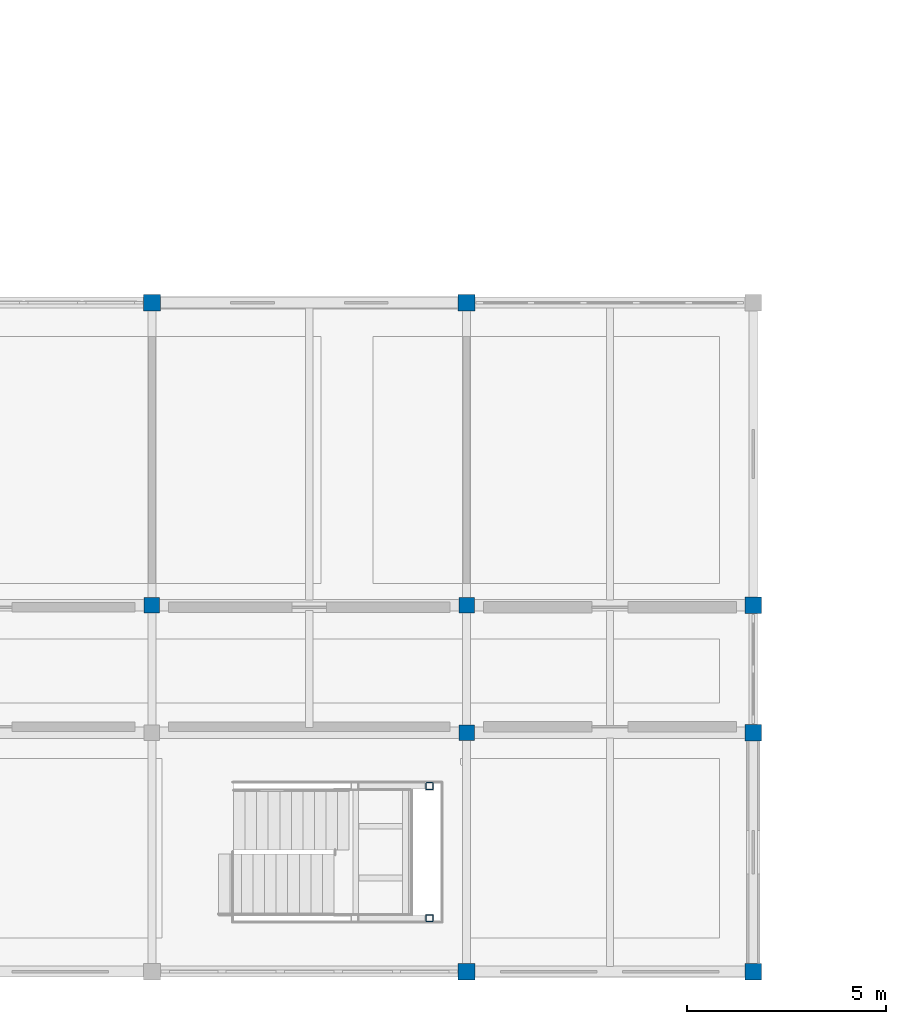
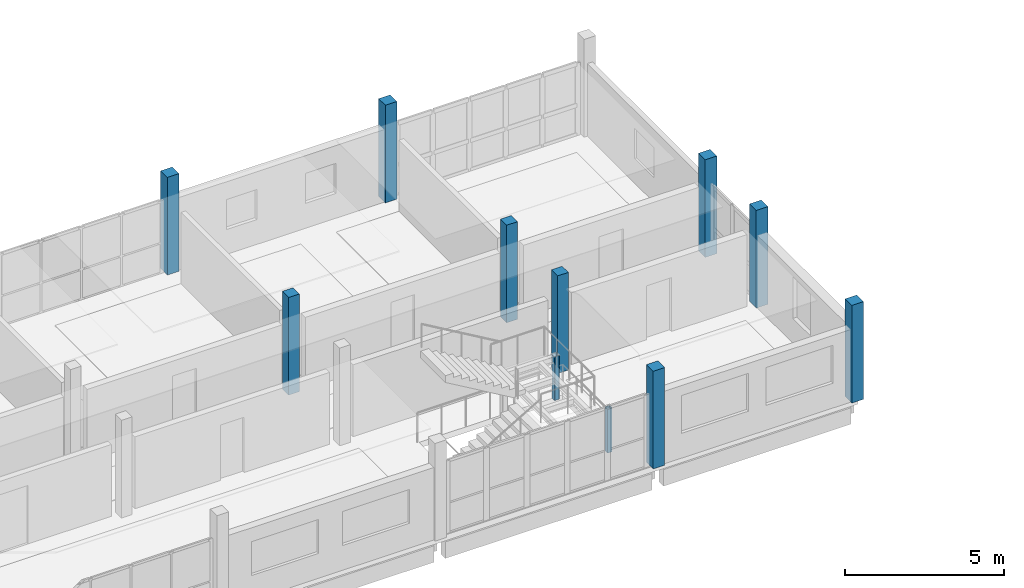
# One storey, part 2 of 77: 11 columns.
"""IFC4 building model written with IfcOpenShell, lengths in metres."""

import ifcopenshell
import ifcopenshell.guid

model = None  # the IFC model being written
_history = None  # IfcOwnerHistory: only IFC2X3 demands one
_inside = {}  # id of a spatial element -> (the spatial element, [elements in it])
_under = {}  # id of a project, library or spatial element -> (it, [spatial elements below it])
_declared = {}  # id of a project -> (the project, [libraries it declares])
_typed = {}  # id of a type object -> (the type object, [elements of that type])
_made_of = {}  # id of a material, layer set ... -> (it, [elements and type objects made of it])


def new_model(schema):
    """Start an empty IFC model of exactly this schema.

    Asked for "IFC4X3", IfcOpenShell would pick the latest addendum, in which some entities
    have other attributes; the version numbers below select the first issue.
    IFC2X3 requires an IfcOwnerHistory on every rooted entity: one is made here for all.
    """
    global model, _history
    if schema == "IFC4X3":
        model = ifcopenshell.file(schema_version=(4, 3, 0, 0))
    else:
        model = ifcopenshell.file(schema=schema)
    _inside.clear()
    _under.clear()
    _declared.clear()
    _typed.clear()
    _made_of.clear()
    _history = None
    if model.schema == "IFC2X3":
        org = make("IfcOrganization", Name="unknown")
        user = make(
            "IfcPersonAndOrganization",
            ThePerson=make("IfcPerson", FamilyName="unknown"),
            TheOrganization=org,
        )
        app = make(
            "IfcApplication",
            ApplicationDeveloper=org,
            Version="unknown",
            ApplicationFullName="unknown",
            ApplicationIdentifier="unknown",
        )
        _history = make(
            "IfcOwnerHistory",
            OwningUser=user,
            OwningApplication=app,
            ChangeAction="ADDED",
            CreationDate=0,
        )
    return model


def make(cls, **values):
    """One entity of the class cls with the attributes given. An attribute that is None is left unset."""
    return model.create_entity(
        cls, **{name: value for name, value in values.items() if value is not None}
    )


def rooted(cls, **values):
    """An entity with a GlobalId (a new one), such as an element, a storey or a relation."""
    return make(cls, GlobalId=ifcopenshell.guid.new(), OwnerHistory=_history, **values)


def si_unit(unit_type, name, prefix=None):
    """IfcSIUnit, for example si_unit("LENGTHUNIT", "METRE", prefix="MILLI")."""
    return make("IfcSIUnit", UnitType=unit_type, Prefix=prefix, Name=name)


def assignment(units):
    """IfcUnitAssignment: the units of a project."""
    return None if units is None else make("IfcUnitAssignment", Units=units)


def point(xyz):
    """IfcCartesianPoint."""
    return None if xyz is None else make("IfcCartesianPoint", Coordinates=xyz)


def direction(xyz):
    """IfcDirection."""
    return None if xyz is None else make("IfcDirection", DirectionRatios=xyz)


def frame(location, z_axis=None, x_axis=None):
    """IfcAxis2Placement3D, a coordinate frame: its origin and axes. An axis left out is left unset."""
    return make(
        "IfcAxis2Placement3D",
        Location=point(location),
        Axis=direction(z_axis),
        RefDirection=direction(x_axis),
    )


def frame_2d(location, x_axis=None):
    """IfcAxis2Placement2D, a coordinate frame in the plane: its origin and x axis."""
    return make(
        "IfcAxis2Placement2D", Location=point(location), RefDirection=direction(x_axis)
    )


def origin():
    """The frame at (0, 0, 0) with its axes left unset."""
    return frame((0.0, 0.0, 0.0))


def origin_2d():
    """The frame at (0, 0) in the plane with its x axis left unset."""
    return frame_2d((0.0, 0.0))


def place(relative_to, where):
    """IfcLocalPlacement: puts the frame where relative to a parent placement (None: the world)."""
    return make(
        "IfcLocalPlacement", PlacementRelTo=relative_to, RelativePlacement=where
    )


def context(
    kind, dimensions, precision=None, world=None, true_north=None, identifier=None
):
    """IfcGeometricRepresentationContext, for example the 3D "Model" context."""
    return make(
        "IfcGeometricRepresentationContext",
        ContextIdentifier=identifier,
        ContextType=kind,
        CoordinateSpaceDimension=dimensions,
        Precision=precision,
        WorldCoordinateSystem=world,
        TrueNorth=true_north,
    )


def subcontext(parent, identifier, kind, view, scale=None):
    """IfcGeometricRepresentationSubContext, for example "Body" below "Model"."""
    return make(
        "IfcGeometricRepresentationSubContext",
        ContextIdentifier=identifier,
        ContextType=kind,
        ParentContext=parent,
        TargetScale=scale,
        TargetView=view,
    )


def project(units=None, contexts=None):
    """IfcProject with its units and contexts."""
    return rooted(
        "IfcProject",
        Name="project",
        RepresentationContexts=contexts,
        UnitsInContext=assignment(units),
    )


def spatial(cls, under=None, at=None, **own):
    """A site, building, storey or space (cls), placed at a placement, below another one or the project."""
    s = rooted(cls, ObjectPlacement=at, **own)
    if under is not None:
        _under.setdefault(under.id(), (under, []))[1].append(s)
    return s


def profile(cls, at=None, kind="AREA", **sizes):
    """A parametric profile (cls). Its sizes go by their IFC names, for example OverallWidth=200.0."""
    return make(cls, ProfileType=kind, Position=at, **sizes)


def rectangle(**sizes):
    """IfcRectangleProfileDef."""
    return profile("IfcRectangleProfileDef", **sizes)


def hollow_rectangle(**sizes):
    """IfcRectangleHollowProfileDef."""
    return profile("IfcRectangleHollowProfileDef", **sizes)


def extrude(swept, where, along, depth):
    """IfcExtrudedAreaSolid: the profile swept, set in the frame where, extruded along a direction by depth."""
    return make(
        "IfcExtrudedAreaSolid",
        SweptArea=swept,
        Position=where,
        ExtrudedDirection=direction(along),
        Depth=depth,
    )


def shape(context_of_items, identifier, shape_type, items):
    """IfcShapeRepresentation: the items that make up one representation, for example the "Body"."""
    return make(
        "IfcShapeRepresentation",
        ContextOfItems=context_of_items,
        RepresentationIdentifier=identifier,
        RepresentationType=shape_type,
        Items=items,
    )


def material(Name=None, Category=None):
    """IfcMaterial."""
    return make("IfcMaterial", Name=Name, Category=Category)


def material_profile(
    of_material, cross_section, Name=None, Category=None, Priority=None
):
    """IfcMaterialProfile: a cross section and its material."""
    return make(
        "IfcMaterialProfile",
        Name=Name,
        Material=of_material,
        Profile=cross_section,
        Priority=Priority,
        Category=Category,
    )


def profile_set(profiles, Name=None, composite=None):
    """IfcMaterialProfileSet."""
    return make(
        "IfcMaterialProfileSet",
        Name=Name,
        MaterialProfiles=profiles,
        CompositeProfile=composite,
    )


def made_of(thing, what):
    """Note that an element or type object is made of a material, layer set ...; save() writes the relation."""
    if what is not None:
        _made_of.setdefault(what.id(), (what, []))[1].append(thing)
    return thing


def type_object(cls, material=None, **own):
    """A type object (cls), such as IfcWallType, which elements share."""
    return made_of(rooted(cls, **own), material)


def element(
    cls,
    number,
    at=None,
    inside=None,
    cuts=None,
    type_object=None,
    material=None,
    context=None,
    identifier="Body",
    shape_type=None,
    held_by="IfcProductDefinitionShape",
    body=None,
    shapes=None,
    **own,
):
    """One element of the class cls, such as IfcWall. Its Tag is "e" and its number.

    at: its placement. inside: the storey or other place that contains it. cuts: it is an
    opening in that element (IfcRelVoidsElement). A single representation is given by context,
    identifier, shape_type and body (its items); several are given by shapes. held_by: the class
    of the entity that holds the representations. save() writes the other relations.
    """
    e = rooted(cls, Tag="e%d" % number, ObjectPlacement=at, **own)
    if body is not None:
        shapes = [shape(context, identifier, shape_type, body)]
    if shapes is not None:
        e.Representation = make(held_by, Representations=shapes)
    if inside is not None:
        _inside.setdefault(inside.id(), (inside, []))[1].append(e)
    if cuts is not None:
        rooted(
            "IfcRelVoidsElement", RelatingBuildingElement=cuts, RelatedOpeningElement=e
        )
    if type_object is not None:
        _typed.setdefault(type_object.id(), (type_object, []))[1].append(e)
    return made_of(e, material)


def aggregate(whole, parts):
    """IfcRelAggregates: a whole, such as a stair, and the parts it consists of."""
    return rooted("IfcRelAggregates", RelatingObject=whole, RelatedObjects=parts)


def save(model, path):
    """Write the relations noted so far, then the file.

    IfcRelAggregates (storeys below a building ...), IfcRelContainedInSpatialStructure (elements
    in a storey), IfcRelDefinesByType, IfcRelAssociatesMaterial and IfcRelDeclares: one each for
    every whole, place, type object, material and project.
    """
    for whole, parts in _under.values():
        aggregate(whole, parts)
    for where, things in _inside.values():
        rooted(
            "IfcRelContainedInSpatialStructure",
            RelatedElements=things,
            RelatingStructure=where,
        )
    for kind, things in _typed.values():
        rooted("IfcRelDefinesByType", RelatedObjects=things, RelatingType=kind)
    for what, things in _made_of.values():
        rooted("IfcRelAssociatesMaterial", RelatedObjects=things, RelatingMaterial=what)
    for by, libraries in _declared.values():
        rooted("IfcRelDeclares", RelatingContext=by, RelatedDefinitions=libraries)
    model.write(path)


model = new_model("IFC4")

# Units and contexts
model_context = context("Model", 3, precision=1e-05, world=origin(), true_north=direction((0.0, 1.0)))
body_context = subcontext(model_context, "Body", "Model", "MODEL_VIEW")
ifc_project = project(units=[si_unit("LENGTHUNIT", "METRE"), si_unit("AREAUNIT", "SQUARE_METRE"), si_unit("VOLUMEUNIT", "CUBIC_METRE"), si_unit("PLANEANGLEUNIT", "RADIAN"), si_unit("MASSUNIT", "GRAM", prefix="KILO")], contexts=[model_context])

# Site, building, storey
site_placement = place(None, origin())
site = spatial("IfcSite", under=ifc_project, at=site_placement, CompositionType="ELEMENT")
building_placement = place(site_placement, origin())
building = spatial("IfcBuilding", under=site, at=building_placement, Name="Caldaven Crescent School", CompositionType="ELEMENT")
storey_placement = place(building_placement, frame((0.0, 0.0, 4.419921875)))
storey = spatial("IfcBuildingStorey", under=building, at=storey_placement, Name="L01", CompositionType="ELEMENT", Elevation=4.419921875)

# Columns
ifc_material_1 = material(Name="Glulam MLE24h (GL28h)", Category="wood")
ifc_material_profile_1 = material_profile(ifc_material_1, rectangle(XDim=0.389892578125, YDim=0.389892578125, at=origin_2d()), Name="MLE 390x390")
ifc_profile_set_1 = profile_set([ifc_material_profile_1], Name="Glulam MLE24h (GL28h)")
column_type_1 = type_object("IfcColumnType", Name="COL-GL39", PredefinedType="COLUMN", material=ifc_profile_set_1)
for number, where, z_axis, x_axis, name in (
    (1, (41.300048828125, 13.39990234375, 0.0), (0.0, 0.0, 1.0), (1.0, 0.0, 0.0), "COL-V4S-L01-2-2"),
    (2, (49.199951171875, 10.199951171875, 0.0), (0.0, 0.0, 1.0), (1.0, 0.0, 0.0), "COL-V4S-L01-3-1"),
    (3, (49.199951171875, 13.39990234375, 0.0), (0.0, 0.0, 1.0), (1.0, 0.0, 0.0), "COL-V4S-L01-3-2"),
):
    element("IfcColumn", number, at=place(storey_placement, frame(where, z_axis=z_axis, x_axis=x_axis)), inside=storey, type_object=column_type_1, Name=name, PredefinedType="COLUMN", context=body_context, shape_type="SweptSolid", body=[
        extrude(rectangle(XDim=0.389892578125, YDim=0.389892578125, at=origin_2d()), origin(), (0.0, 0.0, 1.0), 3.739990234375),
    ])
ifc_material_profile_2 = material_profile(ifc_material_1, rectangle(XDim=0.419921875, YDim=0.419921875, at=origin_2d()), Name="MLE 420x420")
ifc_profile_set_2 = profile_set([ifc_material_profile_2], Name="Glulam MLE24h (GL28h)")
column_type_2 = type_object("IfcColumnType", Name="COL-GL42", PredefinedType="COLUMN", material=ifc_profile_set_2)
for number, where, z_axis, x_axis, name in (
    (4, (41.300048828125, 21.0, 0.0), (0.0, 0.0, 1.0), (1.0, 0.0, 0.0), "COL-V4S-L01-2-3"),
    (5, (49.199951171875, 4.199951171875, 0.0), (0.0, 0.0, 1.0), (1.0, 0.0, 0.0), "COL-V4S-L01-3-0"),
    (6, (49.199951171875, 21.0, 0.0), (0.0, 0.0, 1.0), (1.0, 0.0, 0.0), "COL-V4S-L01-3-3"),
    (7, (56.39990234375, 4.199951171875, 0.0), (0.0, 0.0, 1.0), (1.0, 0.0, 0.0), "COL-V4S-L01-4-0"),
    (8, (56.39990234375, 10.199951171875, 0.0), (0.0, 0.0, 1.0), (1.0, 0.0, 0.0), "COL-V4S-L01-4-1"),
    (9, (56.39990234375, 13.39990234375, 0.0), (0.0, 0.0, 1.0), (1.0, 0.0, 0.0), "COL-V4S-L01-4-2"),
):
    element("IfcColumn", number, at=place(storey_placement, frame(where, z_axis=z_axis, x_axis=x_axis)), inside=storey, type_object=column_type_2, Name=name, PredefinedType="COLUMN", context=body_context, shape_type="SweptSolid", body=[
        extrude(rectangle(XDim=0.419921875, YDim=0.419921875, at=origin_2d()), origin(), (0.0, 0.0, 1.0), 3.739990234375),
    ])
ifc_material_2 = material(Name="Steel ASTM A572 Grade 50", Category="steel")
ifc_material_profile_3 = material_profile(ifc_material_2, hollow_rectangle(XDim=0.179931640625, YDim=0.179931640625, WallThickness=0.010009765625, InnerFilletRadius=0.010009765625, OuterFilletRadius=0.02001953125, at=origin_2d()), Name="HSS 180x180x10")
ifc_profile_set_3 = profile_set([ifc_material_profile_3], Name="Steel ASTM A572 Grade 50")
column_type_3 = type_object("IfcColumnType", Name="COL-HS18", PredefinedType="COLUMN", material=ifc_profile_set_3)
for number, where, z_axis, x_axis, name in (
    (10, (48.27001953125, 5.5400390625, 0.0), (0.0, 0.0, 1.0), (1.0, 0.0, 0.0), "COL-STPOST-STV4S-L01-C"),
    (11, (48.27001953125, 8.860107421875, 0.0), (0.0, 0.0, 1.0), (1.0, 0.0, 0.0), "COL-STPOST-STV4S-L01-D"),
):
    element("IfcColumn", number, at=place(storey_placement, frame(where, z_axis=z_axis, x_axis=x_axis)), inside=storey, type_object=column_type_3, Name=name, PredefinedType="COLUMN", context=body_context, shape_type="SweptSolid", body=[
        extrude(hollow_rectangle(XDim=0.179931640625, YDim=0.179931640625, WallThickness=0.010009765625, InnerFilletRadius=0.010009765625, OuterFilletRadius=0.02001953125, at=origin_2d()), origin(), (0.0, 0.0, 1.0), 1.675048828125),
    ])

save(model, "model.ifc")
